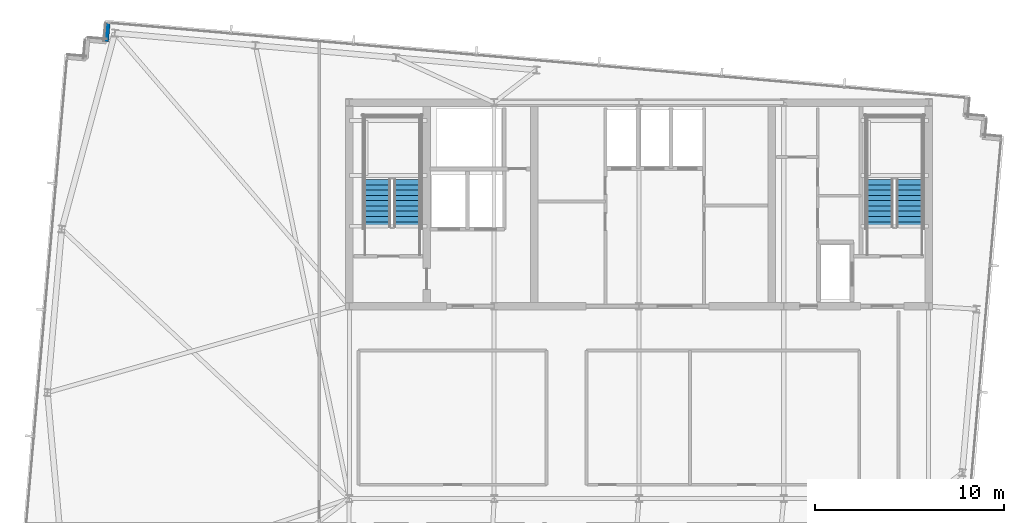
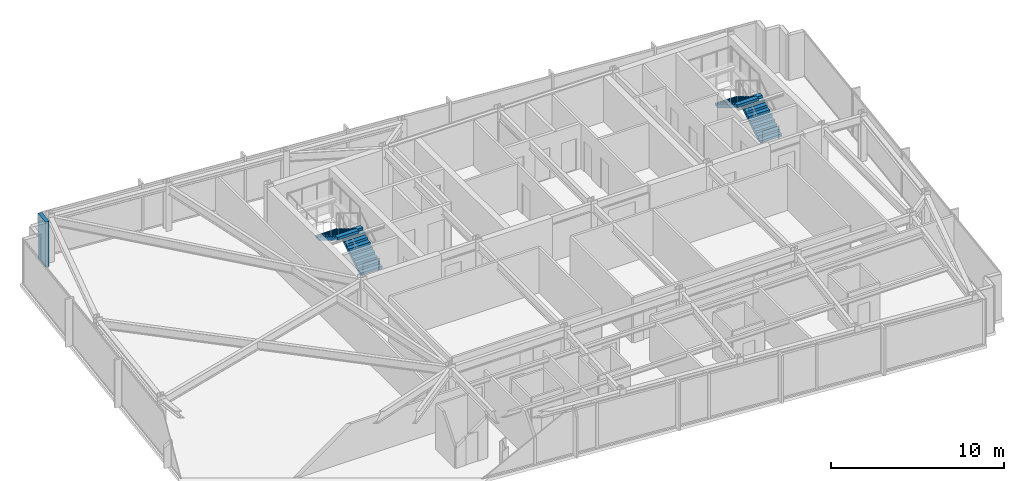
# One storey, part 29 of 33: 4 stair flights, 1 wall, 2 elements without a shape of their own.
"""IFC4 building model written with IfcOpenShell, lengths in metres."""

from ifc_helpers import new_model, si_unit, direction, frame, frame_2d, origin, place, context, subcontext, project, spatial, polyline, rectangle, outline, extrude, material, layer, layer_set, type_object, element, aggregate, save


model = new_model("IFC4")

# Units and contexts
model_context = context("Model", 3, precision=1e-05, world=origin(), true_north=direction((0.0, 1.0)))
body_context = subcontext(model_context, "Body", "Model", "MODEL_VIEW")
ifc_project = project(units=[si_unit("LENGTHUNIT", "METRE"), si_unit("AREAUNIT", "SQUARE_METRE"), si_unit("VOLUMEUNIT", "CUBIC_METRE"), si_unit("PLANEANGLEUNIT", "RADIAN"), si_unit("MASSUNIT", "GRAM", prefix="KILO")], contexts=[model_context])

# Site, building, storey
site_placement = place(None, origin())
site = spatial("IfcSite", under=ifc_project, at=site_placement, CompositionType="ELEMENT")
building_placement = place(site_placement, origin())
building = spatial("IfcBuilding", under=site, at=building_placement, Name="Yelkora Congress Tower", CompositionType="ELEMENT")
storey_placement = place(building_placement, frame((0.0, 0.0, 286.300048828125)))
storey = spatial("IfcBuildingStorey", under=building, at=storey_placement, Name="L80", CompositionType="ELEMENT", Elevation=286.300048828125)

# Wall
ifc_material = material(Name="Concrete C40/50", Category="concrete")
ifc_layer = layer(ifc_material, 0.239990234375)
ifc_layer_set = layer_set([ifc_layer], Name="Concrete C40/50")
wall_type = type_object("IfcWallType", Name="WALL-EXT-LIMESTONE-240", PredefinedType="SOLIDWALL", material=ifc_layer_set)
wall_placement = place(storey_placement, frame((10.15283203125, 49.431640625, 0.0), z_axis=(0.0, 0.0, 1.0), x_axis=(0.087166950281, 0.996193717496, 0.0)))
element("IfcWall", 1, at=wall_placement, inside=storey, type_object=wall_type, Name="L80 Serrated Corner Limestone Pier 9", PredefinedType="SOLIDWALL", context=body_context, shape_type="SweptSolid", body=[
    extrude(rectangle(XDim=1.0, YDim=0.239990234375, at=frame_2d((0.5, 0.0))), origin(), (0.0, 0.0, 1.0), 3.179931640625),
])

# Stair, stair flights
stair_type = type_object("IfcStairType", Name="STAIR-HT-1420-R20-170", PredefinedType="HALF_TURN_STAIR", material=ifc_material)
stair_1_placement = place(storey_placement, origin())
stair_1 = element("IfcStair", 2, at=stair_1_placement, inside=storey, type_object=stair_type, Name="West Core Protected Exit Stair ST-01 (L80)", PredefinedType="HALF_TURN_STAIR")
stair_flight_type = type_object("IfcStairFlightType", Name="FLIGHT-1420-N10-R170-G280", PredefinedType="STRAIGHT", material=ifc_material)
stair_flight_1_placement = place(storey_placement, frame((26.110107421875, 39.60009765625, 0.0), z_axis=(0.0, 0.0, 1.0), x_axis=(0.0, 1.0, 0.0)))
stair_flight_1 = element("IfcStairFlight", 3, at=stair_flight_1_placement, type_object=stair_flight_type, Name="ST-01 L80 Flight 1", NumberOfRisers=10, NumberOfTreads=9, PredefinedType="STRAIGHT", RiserHeight=0.17, TreadLength=0.28, context=body_context, shape_type="SweptSolid", body=[
    extrude(outline(polyline([(0.0, 0.0), (0.0, 0.169921875), (0.280029296875, 0.169921875), (0.280029296875, 0.340087890625), (0.56005859375, 0.340087890625), (0.56005859375, 0.510009765625), (0.840087890625, 0.510009765625), (0.840087890625, 0.679931640625), (1.1201171875, 0.679931640625), (1.1201171875, 0.85009765625), (1.39990234375, 0.85009765625), (1.39990234375, 1.02001953125), (1.679931640625, 1.02001953125), (1.679931640625, 1.18994140625), (1.9599609375, 1.18994140625), (1.9599609375, 1.360107421875), (2.239990234375, 1.360107421875), (2.239990234375, 1.530029296875), (2.52001953125, 1.530029296875), (2.52001953125, 1.699951171875), (2.52001953125, 1.343017578125), (0.30810546875, 0.0), (0.0, 0.0)])), frame((0.0, 0.7099609375, 0.0), z_axis=(0.0, -1.0, 0.0), x_axis=(1.0, 0.0, 0.0)), (0.0, 0.0, 1.0), 1.419921875),
])
stair_flight_2_placement = place(storey_placement, frame((24.530029296875, 42.1201171875, 1.699951171875), z_axis=(0.0, 0.0, 1.0), x_axis=(0.0, -1.0, 0.0)))
stair_flight_2 = element("IfcStairFlight", 4, at=stair_flight_2_placement, type_object=stair_flight_type, Name="ST-01 L80 Flight 2", NumberOfRisers=10, NumberOfTreads=9, PredefinedType="STRAIGHT", RiserHeight=0.17, TreadLength=0.28, context=body_context, shape_type="SweptSolid", body=[
    extrude(outline(polyline([(0.0, 0.0), (0.0, 0.169921875), (0.280029296875, 0.169921875), (0.280029296875, 0.340087890625), (0.56005859375, 0.340087890625), (0.56005859375, 0.510009765625), (0.840087890625, 0.510009765625), (0.840087890625, 0.679931640625), (1.1201171875, 0.679931640625), (1.1201171875, 0.85009765625), (1.39990234375, 0.85009765625), (1.39990234375, 1.02001953125), (1.679931640625, 1.02001953125), (1.679931640625, 1.18994140625), (1.9599609375, 1.18994140625), (1.9599609375, 1.360107421875), (2.239990234375, 1.360107421875), (2.239990234375, 1.530029296875), (2.52001953125, 1.530029296875), (2.52001953125, 1.699951171875), (2.52001953125, 1.343017578125), (0.30810546875, 0.0), (0.0, 0.0)])), frame((0.0, 0.7099609375, 0.0), z_axis=(0.0, -1.0, 0.0), x_axis=(1.0, 0.0, 0.0)), (0.0, 0.0, 1.0), 1.419921875),
])
aggregate(stair_1, [stair_flight_1, stair_flight_2])

stair_2_placement = place(storey_placement, origin())
stair_2 = element("IfcStair", 5, at=stair_2_placement, inside=storey, type_object=stair_type, Name="East Core Protected Exit Stair ST-02 (L80)", PredefinedType="HALF_TURN_STAIR")
stair_flight_3_placement = place(storey_placement, frame((52.75, 39.60009765625, 0.0), z_axis=(0.0, 0.0, 1.0), x_axis=(0.0, 1.0, 0.0)))
stair_flight_3 = element("IfcStairFlight", 6, at=stair_flight_3_placement, type_object=stair_flight_type, Name="ST-02 L80 Flight 1", NumberOfRisers=10, NumberOfTreads=9, PredefinedType="STRAIGHT", RiserHeight=0.17, TreadLength=0.28, context=body_context, shape_type="SweptSolid", body=[
    extrude(outline(polyline([(0.0, 0.0), (0.0, 0.169921875), (0.280029296875, 0.169921875), (0.280029296875, 0.340087890625), (0.56005859375, 0.340087890625), (0.56005859375, 0.510009765625), (0.840087890625, 0.510009765625), (0.840087890625, 0.679931640625), (1.1201171875, 0.679931640625), (1.1201171875, 0.85009765625), (1.39990234375, 0.85009765625), (1.39990234375, 1.02001953125), (1.679931640625, 1.02001953125), (1.679931640625, 1.18994140625), (1.9599609375, 1.18994140625), (1.9599609375, 1.360107421875), (2.239990234375, 1.360107421875), (2.239990234375, 1.530029296875), (2.52001953125, 1.530029296875), (2.52001953125, 1.699951171875), (2.52001953125, 1.343017578125), (0.30810546875, 0.0), (0.0, 0.0)])), frame((0.0, 0.7099609375, 0.0), z_axis=(0.0, -1.0, 0.0), x_axis=(1.0, 0.0, 0.0)), (0.0, 0.0, 1.0), 1.419921875),
])
stair_flight_4_placement = place(storey_placement, frame((51.169921875, 42.1201171875, 1.699951171875), z_axis=(0.0, 0.0, 1.0), x_axis=(0.0, -1.0, 0.0)))
stair_flight_4 = element("IfcStairFlight", 7, at=stair_flight_4_placement, type_object=stair_flight_type, Name="ST-02 L80 Flight 2", NumberOfRisers=10, NumberOfTreads=9, PredefinedType="STRAIGHT", RiserHeight=0.17, TreadLength=0.28, context=body_context, shape_type="SweptSolid", body=[
    extrude(outline(polyline([(0.0, 0.0), (0.0, 0.169921875), (0.280029296875, 0.169921875), (0.280029296875, 0.340087890625), (0.56005859375, 0.340087890625), (0.56005859375, 0.510009765625), (0.840087890625, 0.510009765625), (0.840087890625, 0.679931640625), (1.1201171875, 0.679931640625), (1.1201171875, 0.85009765625), (1.39990234375, 0.85009765625), (1.39990234375, 1.02001953125), (1.679931640625, 1.02001953125), (1.679931640625, 1.18994140625), (1.9599609375, 1.18994140625), (1.9599609375, 1.360107421875), (2.239990234375, 1.360107421875), (2.239990234375, 1.530029296875), (2.52001953125, 1.530029296875), (2.52001953125, 1.699951171875), (2.52001953125, 1.343017578125), (0.30810546875, 0.0), (0.0, 0.0)])), frame((0.0, 0.7099609375, 0.0), z_axis=(0.0, -1.0, 0.0), x_axis=(1.0, 0.0, 0.0)), (0.0, 0.0, 1.0), 1.419921875),
])
aggregate(stair_2, [stair_flight_3, stair_flight_4])

save(model, "model.ifc")
